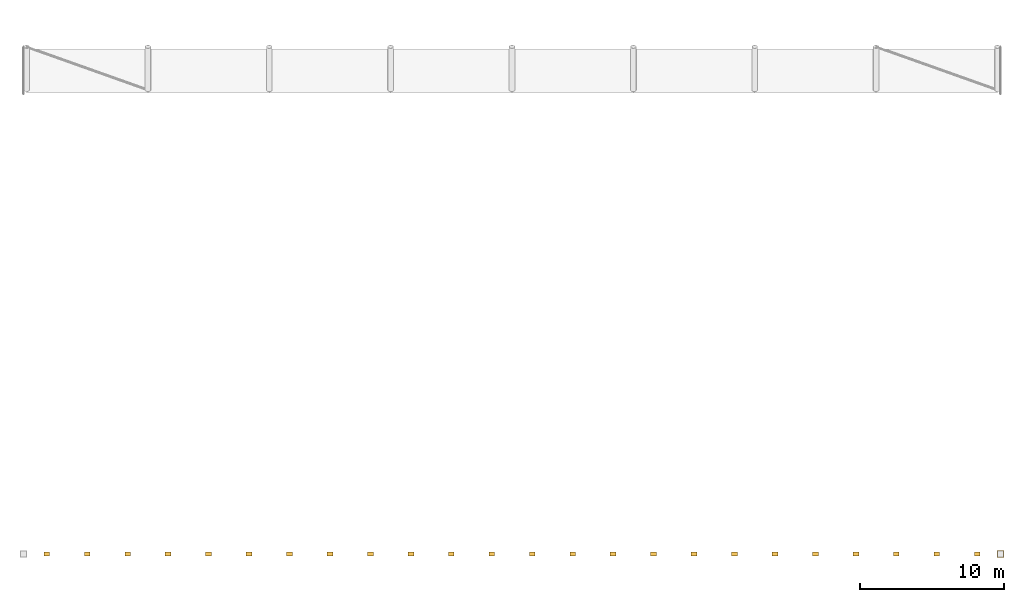
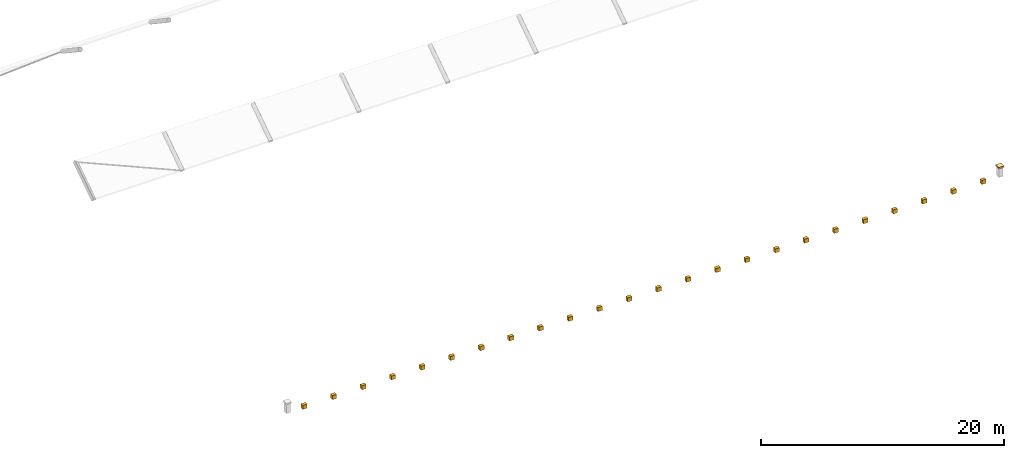
# One storey, part 32 of 32: 25 coverings.
"""IFC4 building model written with IfcOpenShell, lengths in metres."""

from ifc_helpers import new_model, si_unit, direction, frame, origin, origin_2d, place, context, subcontext, project, spatial, rectangle, extrude, material, layer, layer_set, type_object, element, save


model = new_model("IFC4")

# Units and contexts
model_context = context("Model", 3, precision=1e-05, world=origin(), true_north=direction((0.0, 1.0)))
body_context = subcontext(model_context, "Body", "Model", "MODEL_VIEW")
ifc_project = project(units=[si_unit("LENGTHUNIT", "METRE"), si_unit("AREAUNIT", "SQUARE_METRE"), si_unit("VOLUMEUNIT", "CUBIC_METRE"), si_unit("PLANEANGLEUNIT", "RADIAN"), si_unit("MASSUNIT", "GRAM", prefix="KILO")], contexts=[model_context])

# Site, building, storey
site_placement = place(None, origin())
site = spatial("IfcSite", under=ifc_project, at=site_placement, CompositionType="ELEMENT")
building_placement = place(site_placement, origin())
building = spatial("IfcBuilding", under=site, at=building_placement, Name="Catenary Quay Ferry Terminal", CompositionType="ELEMENT")
storey_placement = place(building_placement, frame((0.0, 0.0, 17.10009765625)))
storey = spatial("IfcBuildingStorey", under=building, at=storey_placement, Name="L03", CompositionType="ELEMENT", Elevation=17.10009765625)

# Coverings
ifc_material_1 = material(Name="Ceramic tile")
ifc_layer_1 = layer(ifc_material_1, 0.300048828125)
ifc_layer_set_1 = layer_set([ifc_layer_1], Name="CR1")
covering_type_1 = type_object("IfcCoveringType", Name="CR1", PredefinedType="CLADDING", material=ifc_layer_set_1)
for number, where, z_axis, x_axis, name in (
    (1, (26.60009765625, 84.0, 0.024169921875), (0.0, 0.0, 1.0), (1.0, 0.0, 0.0), "Ridge cresting, arrivals vault"),
    (2, (29.39990234375, 84.0, 0.024169921875), (0.0, 0.0, 1.0), (1.0, 0.0, 0.0), "Ridge cresting, arrivals vault"),
    (3, (32.199951171875, 84.0, 0.024169921875), (0.0, 0.0, 1.0), (1.0, 0.0, 0.0), "Ridge cresting, arrivals vault"),
    (4, (35.0, 84.0, 0.024169921875), (0.0, 0.0, 1.0), (1.0, 0.0, 0.0), "Ridge cresting, arrivals vault"),
    (5, (37.800048828125, 84.0, 0.024169921875), (0.0, 0.0, 1.0), (1.0, 0.0, 0.0), "Ridge cresting, arrivals vault"),
    (6, (40.60009765625, 84.0, 0.024169921875), (0.0, 0.0, 1.0), (1.0, 0.0, 0.0), "Ridge cresting, arrivals vault"),
    (7, (43.39990234375, 84.0, 0.024169921875), (0.0, 0.0, 1.0), (1.0, 0.0, 0.0), "Ridge cresting, arrivals vault"),
    (8, (46.199951171875, 84.0, 0.024169921875), (0.0, 0.0, 1.0), (1.0, 0.0, 0.0), "Ridge cresting, arrivals vault"),
    (9, (49.0, 84.0, 0.024169921875), (0.0, 0.0, 1.0), (1.0, 0.0, 0.0), "Ridge cresting, arrivals vault"),
    (10, (51.800048828125, 84.0, 0.024169921875), (0.0, 0.0, 1.0), (1.0, 0.0, 0.0), "Ridge cresting, arrivals vault"),
    (11, (54.60009765625, 84.0, 0.024169921875), (0.0, 0.0, 1.0), (1.0, 0.0, 0.0), "Ridge cresting, arrivals vault"),
    (12, (57.39990234375, 84.0, 0.024169921875), (0.0, 0.0, 1.0), (1.0, 0.0, 0.0), "Ridge cresting, arrivals vault"),
    (13, (60.199951171875, 84.0, 0.024169921875), (0.0, 0.0, 1.0), (1.0, 0.0, 0.0), "Ridge cresting, arrivals vault"),
    (14, (63.0, 84.0, 0.024169921875), (0.0, 0.0, 1.0), (1.0, 0.0, 0.0), "Ridge cresting, arrivals vault"),
    (15, (65.800048828125, 84.0, 0.024169921875), (0.0, 0.0, 1.0), (1.0, 0.0, 0.0), "Ridge cresting, arrivals vault"),
    (16, (68.60009765625, 84.0, 0.024169921875), (0.0, 0.0, 1.0), (1.0, 0.0, 0.0), "Ridge cresting, arrivals vault"),
    (17, (71.39990234375, 84.0, 0.024169921875), (0.0, 0.0, 1.0), (1.0, 0.0, 0.0), "Ridge cresting, arrivals vault"),
    (18, (74.199951171875, 84.0, 0.024169921875), (0.0, 0.0, 1.0), (1.0, 0.0, 0.0), "Ridge cresting, arrivals vault"),
    (19, (77.0, 84.0, 0.024169921875), (0.0, 0.0, 1.0), (1.0, 0.0, 0.0), "Ridge cresting, arrivals vault"),
    (20, (79.800048828125, 84.0, 0.024169921875), (0.0, 0.0, 1.0), (1.0, 0.0, 0.0), "Ridge cresting, arrivals vault"),
    (21, (82.60009765625, 84.0, 0.024169921875), (0.0, 0.0, 1.0), (1.0, 0.0, 0.0), "Ridge cresting, arrivals vault"),
    (22, (85.39990234375, 84.0, 0.024169921875), (0.0, 0.0, 1.0), (1.0, 0.0, 0.0), "Ridge cresting, arrivals vault"),
    (23, (88.199951171875, 84.0, 0.024169921875), (0.0, 0.0, 1.0), (1.0, 0.0, 0.0), "Ridge cresting, arrivals vault"),
    (24, (91.0, 84.0, 0.024169921875), (0.0, 0.0, 1.0), (1.0, 0.0, 0.0), "Ridge cresting, arrivals vault"),
):
    element("IfcCovering", number, at=place(storey_placement, frame(where, z_axis=z_axis, x_axis=x_axis)), inside=storey, type_object=covering_type_1, Name=name, PredefinedType="CLADDING", context=body_context, shape_type="SweptSolid", body=[
        extrude(rectangle(XDim=0.39990234375, YDim=0.300048828125, at=origin_2d()), origin(), (0.0, 0.0, 1.0), 0.39990234375),
    ])
ifc_material_2 = material(Name="Pale glazed ceramic tile")
ifc_layer_2 = layer(ifc_material_2, 0.14990234375)
ifc_layer_set_2 = layer_set([ifc_layer_2], Name="FN2")
covering_type_2 = type_object("IfcCoveringType", Name="FN2", PredefinedType="CLADDING", material=ifc_layer_set_2)
covering_placement = place(storey_placement, frame((92.603271484375, 84.0, 1.101318359375), z_axis=(0.0, 0.0, 1.0), x_axis=(1.0, 0.0, 0.0)))
element("IfcCovering", 25, at=covering_placement, inside=storey, type_object=covering_type_2, Name="Glazed ceramic finial, cap", PredefinedType="CLADDING", context=body_context, shape_type="SweptSolid", body=[
    extrude(rectangle(XDim=0.5, YDim=0.5, at=origin_2d()), origin(), (0.0, 0.0, 1.0), 0.14990234375),
])

save(model, "model.ifc")
